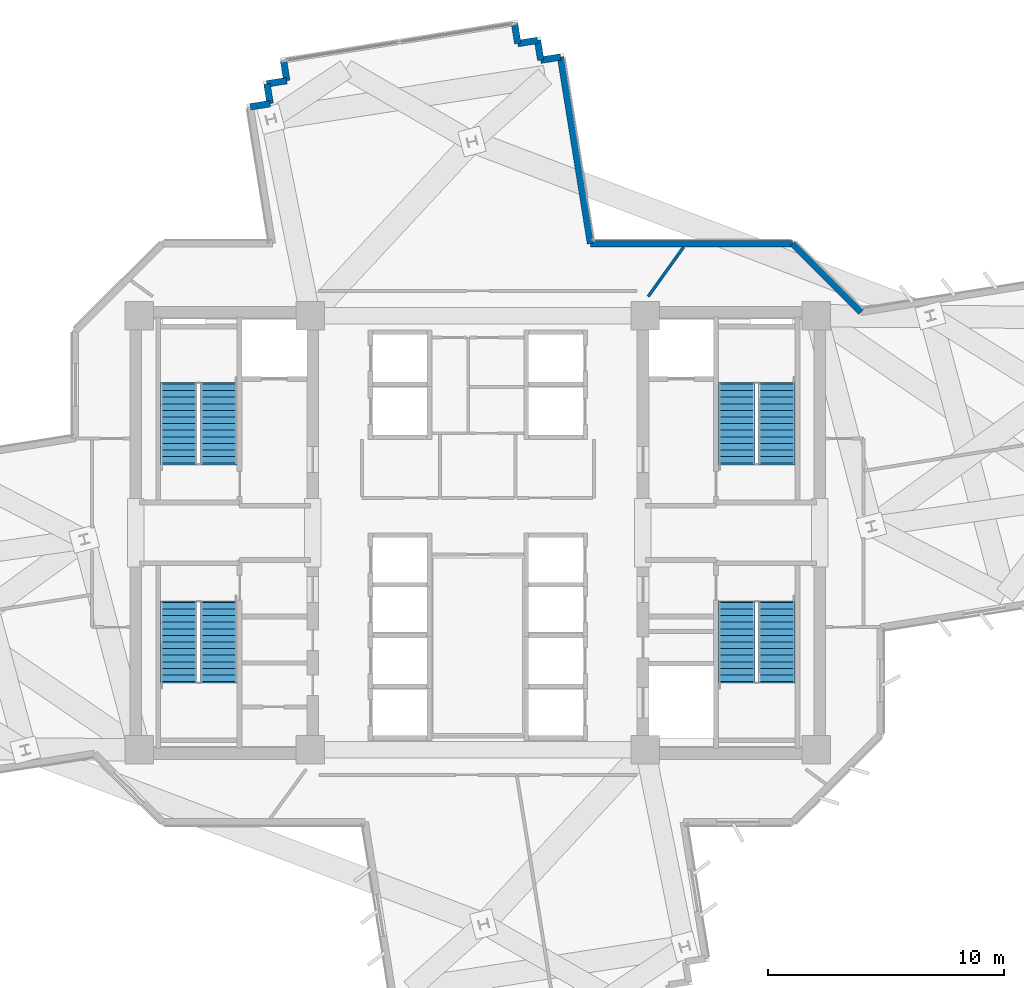
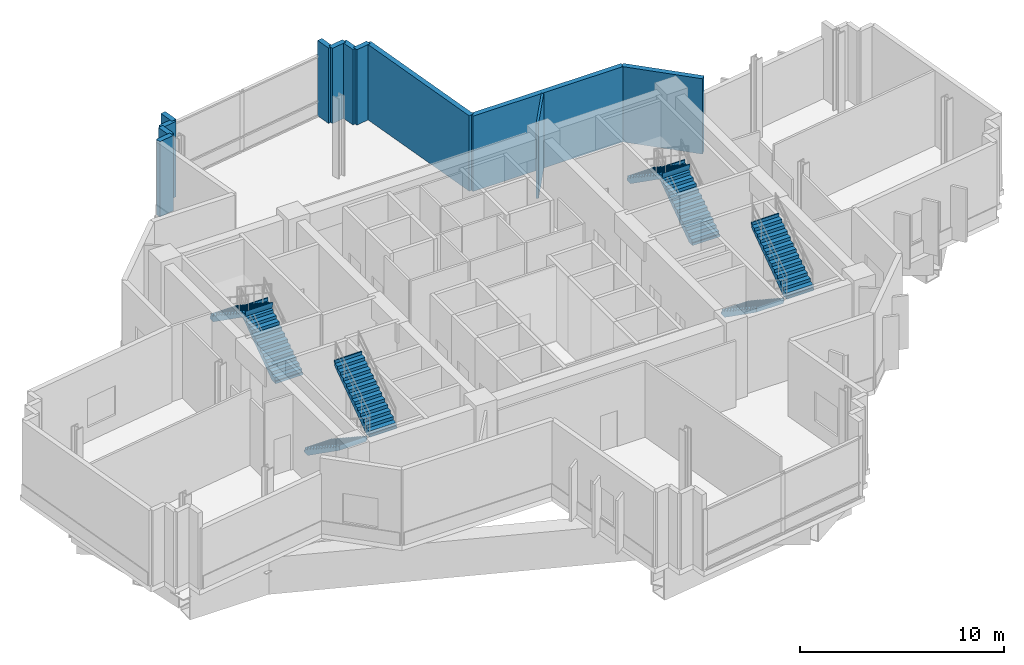
# One storey, part 9 of 12: 12 walls, 8 stair flights, 4 elements without a shape of their own.
"""IFC4 building model written with IfcOpenShell, lengths in metres."""

from ifc_helpers import new_model, si_unit, direction, frame, frame_2d, origin, place, context, subcontext, project, spatial, polyline, rectangle, outline, extrude, source, transform, mapped, material, layer, layer_set, type_object, element, aggregate, save


model = new_model("IFC4")

# Units and contexts
model_context = context("Model", 3, precision=1e-05, world=origin(), true_north=direction((0.0, 1.0)))
body_context = subcontext(model_context, "Body", "Model", "MODEL_VIEW")
ifc_project = project(units=[si_unit("LENGTHUNIT", "METRE"), si_unit("AREAUNIT", "SQUARE_METRE"), si_unit("VOLUMEUNIT", "CUBIC_METRE"), si_unit("PLANEANGLEUNIT", "RADIAN"), si_unit("MASSUNIT", "GRAM", prefix="KILO")], contexts=[model_context])

# Site, building, storey
site_placement = place(None, origin())
site = spatial("IfcSite", under=ifc_project, at=site_placement, CompositionType="ELEMENT")
building_placement = place(site_placement, origin())
building = spatial("IfcBuilding", under=site, at=building_placement, Name="Zahravan Cultural Tower", CompositionType="ELEMENT")
storey_placement = place(building_placement, frame((0.0, 0.0, 130.800048828125)))
storey = spatial("IfcBuildingStorey", under=building, at=storey_placement, Name="L29", CompositionType="ELEMENT", Elevation=130.800048828125)

# Walls
ifc_material_1 = material(Name="Precast concrete C40/50", Category="concrete")
ifc_layer_1 = layer(ifc_material_1, 0.280029296875)
ifc_layer_set_1 = layer_set([ifc_layer_1], Name="Precast concrete C40/50")
wall_type_1 = type_object("IfcWallType", Name="EW-TC-280", PredefinedType="SOLIDWALL", material=ifc_layer_set_1)
shared_shape_1 = source(origin(), body_context, "Body", "SweptSolid", [
    extrude(rectangle(XDim=0.849853515625, YDim=0.280029296875, at=frame_2d((0.4248046875, 0.0))), origin(), (0.0, 0.0, 1.0), 4.52001953125),
])
for number, where, z_axis, x_axis, name in (
    (1, (26.355712890625, 45.059814453125, 0.0), (0.0, 0.0, 1.0), (0.987392182174, 0.158293014948, 0.0), "L29 Exterior Masonry Frame Wall 42"),
    (2, (27.8994140625, 46.16845703125, 0.0), (0.0, 0.0, 1.0), (-0.15857308062, 0.98734724292, 0.0), "L29 Exterior Masonry Frame Wall 45"),
    (3, (37.694091796875, 47.74072265625, 0.0), (0.0, 0.0, 1.0), (0.98734724292, 0.15857308062, 0.0), "L29 Exterior Masonry Frame Wall 47"),
    (4, (38.66796875, 47.0361328125, 0.0), (0.0, 0.0, 1.0), (0.98734724292, 0.15857308062, 0.0), "L29 Exterior Masonry Frame Wall 49"),
):
    element("IfcWall", number, at=place(storey_placement, frame(where, z_axis=z_axis, x_axis=x_axis)), inside=storey, type_object=wall_type_1, Name=name, PredefinedType="SOLIDWALL", context=body_context, shape_type="MappedRepresentation", body=[
        mapped(shared_shape_1, transform((0.0, 0.0, 0.0), x_axis=(1.0, 0.0, 0.0), y_axis=(0.0, 1.0, 0.0), z_axis=(0.0, 0.0, 1.0), scale=1.0)),
    ])
shared_shape_2 = source(origin(), body_context, "Body", "SweptSolid", [
    extrude(rectangle(XDim=0.85009765625, YDim=0.280029296875, at=frame_2d((0.425048828125, 0.0))), origin(), (0.0, 0.0, 1.0), 4.52001953125),
])
for number, where, z_axis, x_axis, name in (
    (5, (27.19482421875, 45.1943359375, 0.0), (0.0, 0.0, 1.0), (-0.158528116284, 0.987354463376, 0.0), "L29 Exterior Masonry Frame Wall 43"),
    (6, (27.06005859375, 46.03369140625, 0.0), (0.0, 0.0, 1.0), (0.987354463376, 0.158528116284, 0.0), "L29 Exterior Masonry Frame Wall 44"),
    (7, (37.559326171875, 48.580078125, 0.0), (0.0, 0.0, 1.0), (0.158528116284, -0.987354463376, 0.0), "L29 Exterior Masonry Frame Wall 46"),
    (8, (38.533203125, 47.87548828125, 0.0), (0.0, 0.0, 1.0), (0.158528116284, -0.987354463376, 0.0), "L29 Exterior Masonry Frame Wall 48"),
):
    element("IfcWall", number, at=place(storey_placement, frame(where, z_axis=z_axis, x_axis=x_axis)), inside=storey, type_object=wall_type_1, Name=name, PredefinedType="SOLIDWALL", context=body_context, shape_type="MappedRepresentation", body=[
        mapped(shared_shape_2, transform((0.0, 0.0, 0.0), x_axis=(1.0, 0.0, 0.0), y_axis=(0.0, 1.0, 0.0), z_axis=(0.0, 0.0, 1.0), scale=1.0)),
    ])
shared_shape_3 = source(origin(), body_context, "Body", "SweptSolid", [
    extrude(rectangle(XDim=8.56494140625, YDim=0.280029296875, at=frame_2d((4.282470703125, 0.0))), origin(), (0.0, 0.0, 1.0), 4.52001953125),
])
wall_1_placement = place(storey_placement, frame((40.777099609375, 39.260009765625, 0.0), z_axis=(0.0, 0.0, 1.0), x_axis=(1.0, 0.0, 0.0)))
element("IfcWall", 9, at=wall_1_placement, inside=storey, type_object=wall_type_1, Name="L29 Exterior Masonry Frame Wall 51", PredefinedType="SOLIDWALL", context=body_context, shape_type="MappedRepresentation", body=[
    mapped(shared_shape_3, transform((0.0, 0.0, 0.0), x_axis=(1.0, 0.0, 0.0), y_axis=(0.0, 1.0, 0.0), z_axis=(0.0, 0.0, 1.0), scale=1.0)),
])
shared_shape_4 = source(origin(), body_context, "Body", "SweptSolid", [
    extrude(rectangle(XDim=8.01220703125, YDim=0.280029296875, at=frame_2d((4.006103515625, 0.0))), origin(), (0.0, 0.0, 1.0), 4.52001953125),
])
wall_2_placement = place(storey_placement, frame((39.507080078125, 47.1708984375, 0.0), z_axis=(0.0, 0.0, 1.0), x_axis=(0.158511008443, -0.987357210032, 0.0)))
element("IfcWall", 10, at=wall_2_placement, inside=storey, type_object=wall_type_1, Name="L29 Exterior Masonry Frame Wall 50", PredefinedType="SOLIDWALL", context=body_context, shape_type="MappedRepresentation", body=[
    mapped(shared_shape_4, transform((0.0, 0.0, 0.0), x_axis=(1.0, 0.0, 0.0), y_axis=(0.0, 1.0, 0.0), z_axis=(0.0, 0.0, 1.0), scale=1.0)),
])
shared_shape_5 = source(origin(), body_context, "Body", "SweptSolid", [
    extrude(rectangle(XDim=4.110107421875, YDim=0.280029296875, at=frame_2d((2.05517578125, 0.0))), origin(), (0.0, 0.0, 1.0), 4.52001953125),
])
wall_3_placement = place(storey_placement, frame((49.342041015625, 39.260009765625, 0.0), z_axis=(0.0, 0.0, 1.0), x_axis=(0.707106781187, -0.707106781187, 0.0)))
element("IfcWall", 11, at=wall_3_placement, inside=storey, type_object=wall_type_1, Name="L29 Exterior Masonry Frame Wall 52", PredefinedType="SOLIDWALL", context=body_context, shape_type="MappedRepresentation", body=[
    mapped(shared_shape_5, transform((0.0, 0.0, 0.0), x_axis=(1.0, 0.0, 0.0), y_axis=(0.0, 1.0, 0.0), z_axis=(0.0, 0.0, 1.0), scale=1.0)),
])
ifc_material_2 = material(Name="Gypsum plasterboard partition")
ifc_layer_2 = layer(ifc_material_2, 0.125)
ifc_layer_set_2 = layer_set([ifc_layer_2], Name="Gypsum plasterboard partition")
wall_type_2 = type_object("IfcWallType", Name="W-PART-125", PredefinedType="PARTITIONING", material=ifc_layer_set_2)
shared_shape_6 = source(origin(), body_context, "Body", "SweptSolid", [
    extrude(rectangle(XDim=2.576904296875, YDim=0.125, at=frame_2d((1.28857421875, 0.0))), origin(), (0.0, 0.0, 1.0), 4.52001953125),
])
wall_4_placement = place(storey_placement, frame((43.2236328125, 37.02001953125, 0.0), z_axis=(0.0, 0.0, 1.0), x_axis=(0.582286278149, 0.812983819199, 0.0)))
element("IfcWall", 12, at=wall_4_placement, inside=storey, type_object=wall_type_2, Name="L29 Interior Wall 100", PredefinedType="PARTITIONING", context=body_context, shape_type="MappedRepresentation", body=[
    mapped(shared_shape_6, transform((0.0, 0.0, 0.0), x_axis=(1.0, 0.0, 0.0), y_axis=(0.0, 1.0, 0.0), z_axis=(0.0, 0.0, 1.0), scale=1.0)),
])

# Stair, stair flights
ifc_material_3 = material(Name="Concrete C45/55", Category="concrete")
stair_type = type_object("IfcStairType", Name="STR-DL-1550-480", PredefinedType="HALF_TURN_STAIR", material=ifc_material_3)
stair_1_placement = place(storey_placement, origin())
stair_1 = element("IfcStair", 13, at=stair_1_placement, inside=storey, type_object=stair_type, Name="L29 West Core North Exit Stair ST-W1", PredefinedType="HALF_TURN_STAIR")
stair_flight_type = type_object("IfcStairFlightType", Name="FLG-DL-1550-480", PredefinedType="STRAIGHT", material=ifc_material_3)
stair_flight_1_placement = place(storey_placement, frame((25.02490234375, 29.949951171875, 0.0), z_axis=(0.0, 0.0, 1.0), x_axis=(0.0, 1.0, 0.0)))
stair_flight_1 = element("IfcStairFlight", 14, at=stair_flight_1_placement, type_object=stair_flight_type, Name="ST-W1 flight 1", NumberOfRisers=13, NumberOfTreads=12, PredefinedType="STRAIGHT", RiserHeight=0.184615385, TreadLength=0.28, context=body_context, shape_type="SweptSolid", body=[
    extrude(outline(polyline([(-0.06494140625, -0.139892578125), (-0.06494140625, 0.0), (0.0, 0.0), (0.0, 0.1845703125), (0.280029296875, 0.1845703125), (0.280029296875, 0.369140625), (0.56005859375, 0.369140625), (0.56005859375, 0.553955078125), (0.840087890625, 0.553955078125), (0.840087890625, 0.738525390625), (1.1201171875, 0.738525390625), (1.1201171875, 0.923095703125), (1.39990234375, 0.923095703125), (1.39990234375, 1.107666015625), (1.679931640625, 1.107666015625), (1.679931640625, 1.292236328125), (1.9599609375, 1.292236328125), (1.9599609375, 1.476806640625), (2.239990234375, 1.476806640625), (2.239990234375, 1.66162109375), (2.52001953125, 1.66162109375), (2.52001953125, 1.84619140625), (2.800048828125, 1.84619140625), (2.800048828125, 2.03076171875), (3.080078125, 2.03076171875), (3.080078125, 2.21533203125), (3.360107421875, 2.21533203125), (3.360107421875, 2.39990234375), (3.425048828125, 2.39990234375), (3.425048828125, 2.25), (3.360107421875, 2.035888671875), (0.272216796875, -0.139892578125), (-0.06494140625, -0.139892578125)])), frame((0.0, 0.77490234375, 0.0), z_axis=(0.0, -1.0, 0.0), x_axis=(1.0, 0.0, 0.0)), (0.0, 0.0, 1.0), 1.550048828125),
])
stair_flight_2_placement = place(storey_placement, frame((23.324951171875, 33.31005859375, 2.39990234375), z_axis=(0.0, 0.0, 1.0), x_axis=(0.0, -1.0, 0.0)))
stair_flight_2 = element("IfcStairFlight", 15, at=stair_flight_2_placement, type_object=stair_flight_type, Name="ST-W1 flight 2", NumberOfRisers=13, NumberOfTreads=12, PredefinedType="STRAIGHT", RiserHeight=0.184615385, TreadLength=0.28, context=body_context, shape_type="SweptSolid", body=[
    extrude(outline(polyline([(-0.06494140625, -0.139892578125), (-0.06494140625, 0.0), (0.0, 0.0), (0.0, 0.1845703125), (0.280029296875, 0.1845703125), (0.280029296875, 0.369140625), (0.56005859375, 0.369140625), (0.56005859375, 0.553955078125), (0.840087890625, 0.553955078125), (0.840087890625, 0.738525390625), (1.1201171875, 0.738525390625), (1.1201171875, 0.923095703125), (1.39990234375, 0.923095703125), (1.39990234375, 1.107666015625), (1.679931640625, 1.107666015625), (1.679931640625, 1.292236328125), (1.9599609375, 1.292236328125), (1.9599609375, 1.476806640625), (2.239990234375, 1.476806640625), (2.239990234375, 1.66162109375), (2.52001953125, 1.66162109375), (2.52001953125, 1.84619140625), (2.800048828125, 1.84619140625), (2.800048828125, 2.03076171875), (3.080078125, 2.03076171875), (3.080078125, 2.21533203125), (3.360107421875, 2.21533203125), (3.360107421875, 2.39990234375), (3.425048828125, 2.39990234375), (3.425048828125, 2.25), (3.360107421875, 2.035888671875), (0.272216796875, -0.139892578125), (-0.06494140625, -0.139892578125)])), frame((0.0, 0.77490234375, 0.0), z_axis=(0.0, -1.0, 0.0), x_axis=(1.0, 0.0, 0.0)), (0.0, 0.0, 1.0), 1.550048828125),
])
aggregate(stair_1, [stair_flight_1, stair_flight_2])

stair_2_placement = place(storey_placement, origin())
stair_2 = element("IfcStair", 16, at=stair_2_placement, inside=storey, type_object=stair_type, Name="L29 West Core South Exit Stair ST-W2", PredefinedType="HALF_TURN_STAIR")
stair_flight_3_placement = place(storey_placement, frame((23.324951171875, 24.050048828125, 0.0), z_axis=(0.0, 0.0, 1.0), x_axis=(0.0, -1.0, 0.0)))
stair_flight_3 = element("IfcStairFlight", 17, at=stair_flight_3_placement, type_object=stair_flight_type, Name="ST-W2 flight 1", NumberOfRisers=13, NumberOfTreads=12, PredefinedType="STRAIGHT", RiserHeight=0.184615385, TreadLength=0.28, context=body_context, shape_type="SweptSolid", body=[
    extrude(outline(polyline([(-0.06494140625, -0.139892578125), (-0.06494140625, 0.0), (0.0, 0.0), (0.0, 0.1845703125), (0.280029296875, 0.1845703125), (0.280029296875, 0.369140625), (0.56005859375, 0.369140625), (0.56005859375, 0.553955078125), (0.840087890625, 0.553955078125), (0.840087890625, 0.738525390625), (1.1201171875, 0.738525390625), (1.1201171875, 0.923095703125), (1.39990234375, 0.923095703125), (1.39990234375, 1.107666015625), (1.679931640625, 1.107666015625), (1.679931640625, 1.292236328125), (1.9599609375, 1.292236328125), (1.9599609375, 1.476806640625), (2.239990234375, 1.476806640625), (2.239990234375, 1.66162109375), (2.52001953125, 1.66162109375), (2.52001953125, 1.84619140625), (2.800048828125, 1.84619140625), (2.800048828125, 2.03076171875), (3.080078125, 2.03076171875), (3.080078125, 2.21533203125), (3.360107421875, 2.21533203125), (3.360107421875, 2.39990234375), (3.425048828125, 2.39990234375), (3.425048828125, 2.25), (3.360107421875, 2.035888671875), (0.272216796875, -0.139892578125), (-0.06494140625, -0.139892578125)])), frame((0.0, 0.77490234375, 0.0), z_axis=(0.0, -1.0, 0.0), x_axis=(1.0, 0.0, 0.0)), (0.0, 0.0, 1.0), 1.550048828125),
])
stair_flight_4_placement = place(storey_placement, frame((25.02490234375, 20.68994140625, 2.39990234375), z_axis=(0.0, 0.0, 1.0), x_axis=(0.0, 1.0, 0.0)))
stair_flight_4 = element("IfcStairFlight", 18, at=stair_flight_4_placement, type_object=stair_flight_type, Name="ST-W2 flight 2", NumberOfRisers=13, NumberOfTreads=12, PredefinedType="STRAIGHT", RiserHeight=0.184615385, TreadLength=0.28, context=body_context, shape_type="SweptSolid", body=[
    extrude(outline(polyline([(-0.06494140625, -0.139892578125), (-0.06494140625, 0.0), (0.0, 0.0), (0.0, 0.1845703125), (0.280029296875, 0.1845703125), (0.280029296875, 0.369140625), (0.56005859375, 0.369140625), (0.56005859375, 0.553955078125), (0.840087890625, 0.553955078125), (0.840087890625, 0.738525390625), (1.1201171875, 0.738525390625), (1.1201171875, 0.923095703125), (1.39990234375, 0.923095703125), (1.39990234375, 1.107666015625), (1.679931640625, 1.107666015625), (1.679931640625, 1.292236328125), (1.9599609375, 1.292236328125), (1.9599609375, 1.476806640625), (2.239990234375, 1.476806640625), (2.239990234375, 1.66162109375), (2.52001953125, 1.66162109375), (2.52001953125, 1.84619140625), (2.800048828125, 1.84619140625), (2.800048828125, 2.03076171875), (3.080078125, 2.03076171875), (3.080078125, 2.21533203125), (3.360107421875, 2.21533203125), (3.360107421875, 2.39990234375), (3.425048828125, 2.39990234375), (3.425048828125, 2.25), (3.360107421875, 2.035888671875), (0.272216796875, -0.139892578125), (-0.06494140625, -0.139892578125)])), frame((0.0, 0.77490234375, 0.0), z_axis=(0.0, -1.0, 0.0), x_axis=(1.0, 0.0, 0.0)), (0.0, 0.0, 1.0), 1.550048828125),
])
aggregate(stair_2, [stair_flight_3, stair_flight_4])

stair_3_placement = place(storey_placement, origin())
stair_3 = element("IfcStair", 19, at=stair_3_placement, inside=storey, type_object=stair_type, Name="L29 East Core North Exit Stair ST-E1", PredefinedType="HALF_TURN_STAIR")
stair_flight_5_placement = place(storey_placement, frame((48.675048828125, 29.949951171875, 0.0), z_axis=(0.0, 0.0, 1.0), x_axis=(0.0, 1.0, 0.0)))
stair_flight_5 = element("IfcStairFlight", 20, at=stair_flight_5_placement, type_object=stair_flight_type, Name="ST-E1 flight 1", NumberOfRisers=13, NumberOfTreads=12, PredefinedType="STRAIGHT", RiserHeight=0.184615385, TreadLength=0.28, context=body_context, shape_type="SweptSolid", body=[
    extrude(outline(polyline([(-0.06494140625, -0.139892578125), (-0.06494140625, 0.0), (0.0, 0.0), (0.0, 0.1845703125), (0.280029296875, 0.1845703125), (0.280029296875, 0.369140625), (0.56005859375, 0.369140625), (0.56005859375, 0.553955078125), (0.840087890625, 0.553955078125), (0.840087890625, 0.738525390625), (1.1201171875, 0.738525390625), (1.1201171875, 0.923095703125), (1.39990234375, 0.923095703125), (1.39990234375, 1.107666015625), (1.679931640625, 1.107666015625), (1.679931640625, 1.292236328125), (1.9599609375, 1.292236328125), (1.9599609375, 1.476806640625), (2.239990234375, 1.476806640625), (2.239990234375, 1.66162109375), (2.52001953125, 1.66162109375), (2.52001953125, 1.84619140625), (2.800048828125, 1.84619140625), (2.800048828125, 2.03076171875), (3.080078125, 2.03076171875), (3.080078125, 2.21533203125), (3.360107421875, 2.21533203125), (3.360107421875, 2.39990234375), (3.425048828125, 2.39990234375), (3.425048828125, 2.25), (3.360107421875, 2.035888671875), (0.272216796875, -0.139892578125), (-0.06494140625, -0.139892578125)])), frame((0.0, 0.77490234375, 0.0), z_axis=(0.0, -1.0, 0.0), x_axis=(1.0, 0.0, 0.0)), (0.0, 0.0, 1.0), 1.550048828125),
])
stair_flight_6_placement = place(storey_placement, frame((46.97509765625, 33.31005859375, 2.39990234375), z_axis=(0.0, 0.0, 1.0), x_axis=(0.0, -1.0, 0.0)))
stair_flight_6 = element("IfcStairFlight", 21, at=stair_flight_6_placement, type_object=stair_flight_type, Name="ST-E1 flight 2", NumberOfRisers=13, NumberOfTreads=12, PredefinedType="STRAIGHT", RiserHeight=0.184615385, TreadLength=0.28, context=body_context, shape_type="SweptSolid", body=[
    extrude(outline(polyline([(-0.06494140625, -0.139892578125), (-0.06494140625, 0.0), (0.0, 0.0), (0.0, 0.1845703125), (0.280029296875, 0.1845703125), (0.280029296875, 0.369140625), (0.56005859375, 0.369140625), (0.56005859375, 0.553955078125), (0.840087890625, 0.553955078125), (0.840087890625, 0.738525390625), (1.1201171875, 0.738525390625), (1.1201171875, 0.923095703125), (1.39990234375, 0.923095703125), (1.39990234375, 1.107666015625), (1.679931640625, 1.107666015625), (1.679931640625, 1.292236328125), (1.9599609375, 1.292236328125), (1.9599609375, 1.476806640625), (2.239990234375, 1.476806640625), (2.239990234375, 1.66162109375), (2.52001953125, 1.66162109375), (2.52001953125, 1.84619140625), (2.800048828125, 1.84619140625), (2.800048828125, 2.03076171875), (3.080078125, 2.03076171875), (3.080078125, 2.21533203125), (3.360107421875, 2.21533203125), (3.360107421875, 2.39990234375), (3.425048828125, 2.39990234375), (3.425048828125, 2.25), (3.360107421875, 2.035888671875), (0.272216796875, -0.139892578125), (-0.06494140625, -0.139892578125)])), frame((0.0, 0.77490234375, 0.0), z_axis=(0.0, -1.0, 0.0), x_axis=(1.0, 0.0, 0.0)), (0.0, 0.0, 1.0), 1.550048828125),
])
aggregate(stair_3, [stair_flight_5, stair_flight_6])

stair_4_placement = place(storey_placement, origin())
stair_4 = element("IfcStair", 22, at=stair_4_placement, inside=storey, type_object=stair_type, Name="L29 East Core South Exit Stair ST-E2", PredefinedType="HALF_TURN_STAIR")
stair_flight_7_placement = place(storey_placement, frame((46.97509765625, 24.050048828125, 0.0), z_axis=(0.0, 0.0, 1.0), x_axis=(0.0, -1.0, 0.0)))
stair_flight_7 = element("IfcStairFlight", 23, at=stair_flight_7_placement, type_object=stair_flight_type, Name="ST-E2 flight 1", NumberOfRisers=13, NumberOfTreads=12, PredefinedType="STRAIGHT", RiserHeight=0.184615385, TreadLength=0.28, context=body_context, shape_type="SweptSolid", body=[
    extrude(outline(polyline([(-0.06494140625, -0.139892578125), (-0.06494140625, 0.0), (0.0, 0.0), (0.0, 0.1845703125), (0.280029296875, 0.1845703125), (0.280029296875, 0.369140625), (0.56005859375, 0.369140625), (0.56005859375, 0.553955078125), (0.840087890625, 0.553955078125), (0.840087890625, 0.738525390625), (1.1201171875, 0.738525390625), (1.1201171875, 0.923095703125), (1.39990234375, 0.923095703125), (1.39990234375, 1.107666015625), (1.679931640625, 1.107666015625), (1.679931640625, 1.292236328125), (1.9599609375, 1.292236328125), (1.9599609375, 1.476806640625), (2.239990234375, 1.476806640625), (2.239990234375, 1.66162109375), (2.52001953125, 1.66162109375), (2.52001953125, 1.84619140625), (2.800048828125, 1.84619140625), (2.800048828125, 2.03076171875), (3.080078125, 2.03076171875), (3.080078125, 2.21533203125), (3.360107421875, 2.21533203125), (3.360107421875, 2.39990234375), (3.425048828125, 2.39990234375), (3.425048828125, 2.25), (3.360107421875, 2.035888671875), (0.272216796875, -0.139892578125), (-0.06494140625, -0.139892578125)])), frame((0.0, 0.77490234375, 0.0), z_axis=(0.0, -1.0, 0.0), x_axis=(1.0, 0.0, 0.0)), (0.0, 0.0, 1.0), 1.550048828125),
])
stair_flight_8_placement = place(storey_placement, frame((48.675048828125, 20.68994140625, 2.39990234375), z_axis=(0.0, 0.0, 1.0), x_axis=(0.0, 1.0, 0.0)))
stair_flight_8 = element("IfcStairFlight", 24, at=stair_flight_8_placement, type_object=stair_flight_type, Name="ST-E2 flight 2", NumberOfRisers=13, NumberOfTreads=12, PredefinedType="STRAIGHT", RiserHeight=0.184615385, TreadLength=0.28, context=body_context, shape_type="SweptSolid", body=[
    extrude(outline(polyline([(-0.06494140625, -0.139892578125), (-0.06494140625, 0.0), (0.0, 0.0), (0.0, 0.1845703125), (0.280029296875, 0.1845703125), (0.280029296875, 0.369140625), (0.56005859375, 0.369140625), (0.56005859375, 0.553955078125), (0.840087890625, 0.553955078125), (0.840087890625, 0.738525390625), (1.1201171875, 0.738525390625), (1.1201171875, 0.923095703125), (1.39990234375, 0.923095703125), (1.39990234375, 1.107666015625), (1.679931640625, 1.107666015625), (1.679931640625, 1.292236328125), (1.9599609375, 1.292236328125), (1.9599609375, 1.476806640625), (2.239990234375, 1.476806640625), (2.239990234375, 1.66162109375), (2.52001953125, 1.66162109375), (2.52001953125, 1.84619140625), (2.800048828125, 1.84619140625), (2.800048828125, 2.03076171875), (3.080078125, 2.03076171875), (3.080078125, 2.21533203125), (3.360107421875, 2.21533203125), (3.360107421875, 2.39990234375), (3.425048828125, 2.39990234375), (3.425048828125, 2.25), (3.360107421875, 2.035888671875), (0.272216796875, -0.139892578125), (-0.06494140625, -0.139892578125)])), frame((0.0, 0.77490234375, 0.0), z_axis=(0.0, -1.0, 0.0), x_axis=(1.0, 0.0, 0.0)), (0.0, 0.0, 1.0), 1.550048828125),
])
aggregate(stair_4, [stair_flight_7, stair_flight_8])

save(model, "model.ifc")
